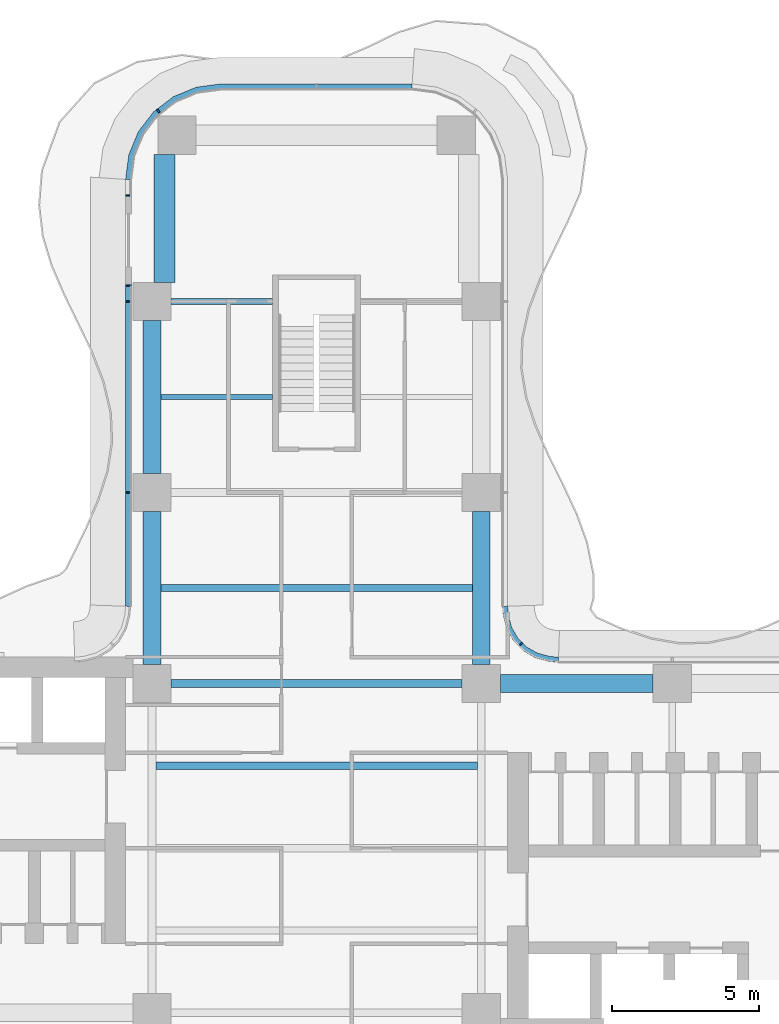
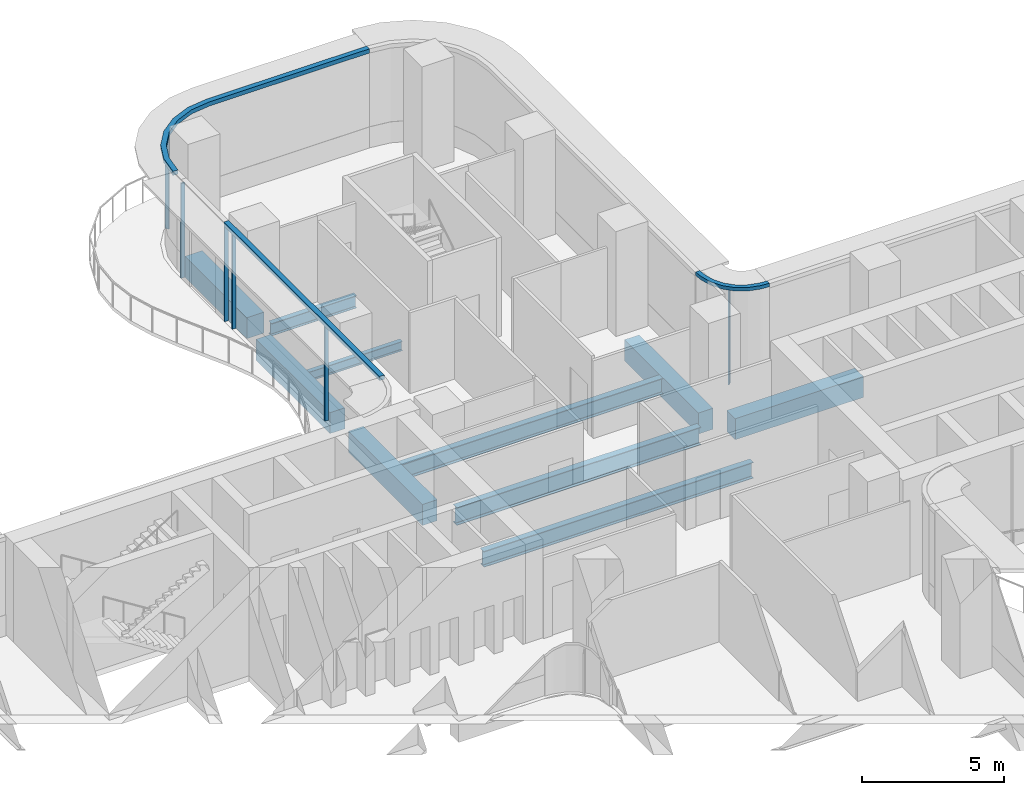
# One storey, part 9 of 23: 10 beams, 9 members, 4 elements without a shape of their own.
"""IFC4 building model written with IfcOpenShell, lengths in metres."""

from ifc_helpers import new_model, si_unit, direction, frame, origin, origin_2d, place, context, subcontext, project, spatial, polyline, rectangle, i_section, outline, extrude, source, transform, mapped, material, layer, layer_set, material_profile, profile_set, type_object, element, aggregate, save


model = new_model("IFC4")

# Units and contexts
model_context = context("Model", 3, precision=1e-05, world=origin(), true_north=direction((0.0, 1.0)))
body_context = subcontext(model_context, "Body", "Model", "MODEL_VIEW")
ifc_project = project(units=[si_unit("LENGTHUNIT", "METRE"), si_unit("AREAUNIT", "SQUARE_METRE"), si_unit("VOLUMEUNIT", "CUBIC_METRE"), si_unit("PLANEANGLEUNIT", "RADIAN"), si_unit("MASSUNIT", "GRAM", prefix="KILO")], contexts=[model_context])

# Site, building, storey
site_placement = place(None, origin())
site = spatial("IfcSite", under=ifc_project, at=site_placement, CompositionType="ELEMENT")
building_placement = place(site_placement, origin())
building = spatial("IfcBuilding", under=site, at=building_placement, Name="Trellis Farm Tower", CompositionType="ELEMENT")
storey_placement = place(building_placement, frame((0.0, 0.0, 120.0)))
storey = spatial("IfcBuildingStorey", under=building, at=storey_placement, Name="L25", CompositionType="ELEMENT", Elevation=120.0)

# Beams
ifc_material_1 = material(Name="Steel S355", Category="steel")
ifc_material_profile_1 = material_profile(ifc_material_1, i_section(OverallWidth=0.253662109375, OverallDepth=0.68359375, WebThickness=0.012451171875, FlangeThickness=0.021728515625, FilletRadius=0.01513671875, at=origin_2d()), Name="UB 686x254x140")
ifc_profile_set_1 = profile_set([ifc_material_profile_1], Name="Steel S355")
beam_type_1 = type_object("IfcBeamType", Name="UB 686x254x140 joist", PredefinedType="JOIST", material=ifc_profile_set_1)
shared_shape_1 = source(origin(), body_context, "Body", "SweptSolid", [
    extrude(i_section(OverallWidth=0.253662109375, OverallDepth=0.68359375, WebThickness=0.012451171875, FlangeThickness=0.021728515625, FilletRadius=0.01513671875, at=origin_2d()), origin(), (0.0, 0.0, 1.0), 10.93310546875),
])
beam_1_placement = place(storey_placement, frame((-5.466552734375, 2.800048828125, -0.591796875), z_axis=(1.0, 0.0, 0.0), x_axis=(0.0, 1.0, 0.0)))
element("IfcBeam", 1, at=beam_1_placement, inside=storey, type_object=beam_type_1, Name="Floor beam", PredefinedType="JOIST", context=body_context, shape_type="MappedRepresentation", body=[
    mapped(shared_shape_1, transform((0.0, 0.0, 0.0))),
])
ifc_material_profile_2 = material_profile(ifc_material_1, i_section(OverallWidth=0.177978515625, OverallDepth=0.406494140625, WebThickness=0.0078125, FlangeThickness=0.0126953125, FilletRadius=0.01025390625, at=origin_2d()), Name="UB 406x178x60")
ifc_profile_set_2 = profile_set([ifc_material_profile_2], Name="Steel S355")
beam_type_2 = type_object("IfcBeamType", Name="UB 406x178x60 joist", PredefinedType="JOIST", material=ifc_profile_set_2)
shared_shape_2 = source(origin(), body_context, "Body", "SweptSolid", [
    extrude(i_section(OverallWidth=0.177978515625, OverallDepth=0.406494140625, WebThickness=0.0078125, FlangeThickness=0.0126953125, FilletRadius=0.01025390625, at=origin_2d()), origin(), (0.0, 0.0, 1.0), 3.800048828125),
])
beam_2_placement = place(storey_placement, frame((-5.300048828125, 15.35009765625, -0.453125), z_axis=(1.0, 0.0, 0.0), x_axis=(0.0, 1.0, 0.0)))
element("IfcBeam", 2, at=beam_2_placement, inside=storey, type_object=beam_type_2, Name="Floor beam", PredefinedType="JOIST", context=body_context, shape_type="MappedRepresentation", body=[
    mapped(shared_shape_2, transform((0.0, 0.0, 0.0))),
])
shared_shape_3 = source(origin(), body_context, "Body", "SweptSolid", [
    extrude(i_section(OverallWidth=0.253662109375, OverallDepth=0.68359375, WebThickness=0.012451171875, FlangeThickness=0.021728515625, FilletRadius=0.01513671875, at=origin_2d()), origin(), (0.0, 0.0, 1.0), 10.60009765625),
])
beam_3_placement = place(storey_placement, frame((-5.300048828125, 8.85009765625, -0.591796875), z_axis=(1.0, 0.0, 0.0), x_axis=(0.0, 1.0, 0.0)))
element("IfcBeam", 3, at=beam_3_placement, inside=storey, type_object=beam_type_1, Name="Floor beam", PredefinedType="JOIST", context=body_context, shape_type="MappedRepresentation", body=[
    mapped(shared_shape_3, transform((0.0, 0.0, 0.0))),
])
ifc_material_profile_3 = material_profile(ifc_material_1, i_section(OverallWidth=0.209228515625, OverallDepth=0.533203125, WebThickness=0.010009765625, FlangeThickness=0.015625, FilletRadius=0.0126953125, at=origin_2d()), Name="UB 533x210x92")
ifc_profile_set_3 = profile_set([ifc_material_profile_3], Name="Steel S355")
beam_type_3 = type_object("IfcBeamType", Name="UB 533x210x92", PredefinedType="BEAM", material=ifc_profile_set_3)
shared_shape_4 = source(origin(), body_context, "Body", "SweptSolid", [
    extrude(i_section(OverallWidth=0.209228515625, OverallDepth=0.533203125, WebThickness=0.010009765625, FlangeThickness=0.015625, FilletRadius=0.0126953125, at=origin_2d()), origin(), (0.0, 0.0, 1.0), 3.449951171875),
])
beam_4_placement = place(storey_placement, frame((-4.949951171875, 18.60009765625, -0.5166015625), z_axis=(1.0, 0.0, 0.0), x_axis=(0.0, 1.0, 0.0)))
element("IfcBeam", 4, at=beam_4_placement, inside=storey, type_object=beam_type_3, Name="Girder", PredefinedType="BEAM", context=body_context, shape_type="MappedRepresentation", body=[
    mapped(shared_shape_4, transform((0.0, 0.0, 0.0))),
])
ifc_material_profile_4 = material_profile(ifc_material_1, i_section(OverallWidth=0.2666015625, OverallDepth=0.76220703125, WebThickness=0.014404296875, FlangeThickness=0.021484375, FilletRadius=0.0166015625, at=origin_2d()), Name="UB 762x267x173")
ifc_profile_set_4 = profile_set([ifc_material_profile_4], Name="Steel S355")
beam_type_4 = type_object("IfcBeamType", Name="UB 762x267x173", PredefinedType="BEAM", material=ifc_profile_set_4)
shared_shape_5 = source(origin(), body_context, "Body", "SweptSolid", [
    extrude(i_section(OverallWidth=0.2666015625, OverallDepth=0.76220703125, WebThickness=0.014404296875, FlangeThickness=0.021484375, FilletRadius=0.0166015625, at=origin_2d()), origin(), (0.0, 0.0, 1.0), 9.89990234375),
])
beam_5_placement = place(storey_placement, frame((-4.949951171875, 5.60009765625, -0.631103515625), z_axis=(1.0, 0.0, 0.0), x_axis=(0.0, 1.0, 0.0)))
element("IfcBeam", 5, at=beam_5_placement, inside=storey, type_object=beam_type_4, Name="Girder", PredefinedType="BEAM", context=body_context, shape_type="MappedRepresentation", body=[
    mapped(shared_shape_5, transform((0.0, 0.0, 0.0))),
])
ifc_material_2 = material(Name="Concrete C60/75", Category="concrete")
ifc_material_profile_5 = material_profile(ifc_material_2, rectangle(XDim=0.60009765625, YDim=0.89990234375, at=origin_2d()), Name="RC spandrel beam 600x900 C60/75")
ifc_profile_set_5 = profile_set([ifc_material_profile_5], Name="Concrete C60/75")
beam_type_5 = type_object("IfcBeamType", Name="RC spandrel beam 600x900 C60/75", PredefinedType="SPANDREL", material=ifc_profile_set_5)
shared_shape_6 = source(origin(), body_context, "Body", "SweptSolid", [
    extrude(rectangle(XDim=0.60009765625, YDim=0.89990234375, at=origin_2d()), origin(), (0.0, 0.0, 1.0), 5.199951171875),
])
for number, where, z_axis, x_axis, name in (
    (6, (6.25, 5.60009765625, -0.699951171875), (1.0, 0.0, 0.0), (0.0, 1.0, 0.0), "Girder"),
    (7, (-5.60009765625, 6.25, -0.699951171875), (0.0, 1.0, 0.0), (-1.0, 0.0, 0.0), "Girder"),
    (8, (-5.60009765625, 12.75, -0.699951171875), (0.0, 1.0, 0.0), (-1.0, 0.0, 0.0), "Girder"),
    (9, (5.60009765625, 6.25, -0.699951171875), (0.0, 1.0, 0.0), (-1.0, 0.0, 0.0), "Girder"),
):
    element("IfcBeam", number, at=place(storey_placement, frame(where, z_axis=z_axis, x_axis=x_axis)), inside=storey, type_object=beam_type_5, Name=name, PredefinedType="SPANDREL", context=body_context, shape_type="MappedRepresentation", body=[
        mapped(shared_shape_6, transform((0.0, 0.0, 0.0))),
    ])
ifc_material_profile_6 = material_profile(ifc_material_2, rectangle(XDim=0.699951171875, YDim=0.89990234375, at=origin_2d()), Name="RC spandrel beam 700x900 C60/75")
ifc_profile_set_6 = profile_set([ifc_material_profile_6], Name="Concrete C60/75")
beam_type_6 = type_object("IfcBeamType", Name="RC spandrel beam 700x900 C60/75", PredefinedType="SPANDREL", material=ifc_profile_set_6)
shared_shape_7 = source(origin(), body_context, "Body", "SweptSolid", [
    extrude(rectangle(XDim=0.699951171875, YDim=0.89990234375, at=origin_2d()), origin(), (0.0, 0.0, 1.0), 4.35009765625),
])
beam_6_placement = place(storey_placement, frame((-5.175048828125, 19.25, -0.699951171875), z_axis=(0.0, 1.0, 0.0), x_axis=(-1.0, 0.0, 0.0)))
element("IfcBeam", 10, at=beam_6_placement, inside=storey, type_object=beam_type_6, Name="Girder", PredefinedType="SPANDREL", context=body_context, shape_type="MappedRepresentation", body=[
    mapped(shared_shape_7, transform((0.0, 0.0, 0.0))),
])

# Curtain wall, member
ifc_material_3 = material(Name="Aluminium and glass curtain wall", Category="aluminium")
ifc_layer_1 = layer(ifc_material_3, 0.18994140625)
ifc_layer_set_1 = layer_set([ifc_layer_1], Name="RIBBON CURTAIN WALL CW1")
curtain_wall_type_1 = type_object("IfcCurtainWallType", Name="RIBBON CURTAIN WALL CW1", PredefinedType="NOTDEFINED", material=ifc_layer_set_1)
placement_1 = place(storey_placement, origin())
curtain_wall_1 = element("IfcCurtainWall", 11, at=placement_1, inside=storey, type_object=curtain_wall_type_1, Name="CW1 010", PredefinedType="NOTDEFINED")
ifc_material_4 = material(Name="Aluminium extrusion 6063-T6", Category="aluminium")
ifc_material_profile_7 = material_profile(ifc_material_4, rectangle(XDim=0.06005859375, YDim=0.14990234375, at=origin_2d()), Name="MULLION 60x150")
ifc_profile_set_7 = profile_set([ifc_material_profile_7], Name="Aluminium extrusion 6063-T6")
member_type_1 = type_object("IfcMemberType", Name="CW1 MULLION 60x150", PredefinedType="MULLION", material=ifc_profile_set_7)
shared_shape_8 = source(origin(), body_context, "Body", "SweptSolid", [
    extrude(rectangle(XDim=0.06005859375, YDim=0.14990234375, at=origin_2d()), origin(), (0.0, 0.0, 1.0), 4.070068359375),
])
member_1_placement = place(storey_placement, frame((-5.385498046875, 25.078369140625, 0.0), z_axis=(0.0, 0.0, 1.0), x_axis=(-0.793353340291, -0.608761429009, 0.0)))
member_1 = element("IfcMember", 12, at=member_1_placement, type_object=member_type_1, Name="MU1 010-02", PredefinedType="MULLION", context=body_context, shape_type="MappedRepresentation", body=[
    mapped(shared_shape_8, transform((0.0, 0.0, 0.0))),
])

curtain_wall_2 = element("IfcCurtainWall", 13, at=placement_1, inside=storey, type_object=curtain_wall_type_1, Name="CW1 011", PredefinedType="NOTDEFINED")
member_2_placement = place(storey_placement, frame((-6.425048828125, 22.205078125, 0.0), z_axis=(0.0, 0.0, 1.0), x_axis=(0.0, -1.0, 0.0)))
member_2 = element("IfcMember", 14, at=member_2_placement, type_object=member_type_1, Name="MU1 011-01", PredefinedType="MULLION", context=body_context, shape_type="MappedRepresentation", body=[
    mapped(shared_shape_8, transform((0.0, 0.0, 0.0))),
])
aggregate(curtain_wall_2, [member_2])

# Curtain wall, members
curtain_wall_3 = element("IfcCurtainWall", 15, at=placement_1, inside=storey, type_object=curtain_wall_type_1, Name="CW1 012", PredefinedType="NOTDEFINED")
member_3_placement = place(storey_placement, frame((-6.425048828125, 19.14501953125, 0.0), z_axis=(0.0, 0.0, 1.0), x_axis=(0.0, -1.0, 0.0)))
member_3 = element("IfcMember", 16, at=member_3_placement, type_object=member_type_1, Name="MU1 012-01", PredefinedType="MULLION", context=body_context, shape_type="MappedRepresentation", body=[
    mapped(shared_shape_8, transform((0.0, 0.0, 0.0))),
])
member_4_placement = place(storey_placement, frame((-6.425048828125, 18.60009765625, 0.0), z_axis=(0.0, 0.0, 1.0), x_axis=(0.0, -1.0, 0.0)))
member_4 = element("IfcMember", 17, at=member_4_placement, type_object=member_type_1, Name="MU1 012-02", PredefinedType="MULLION", context=body_context, shape_type="MappedRepresentation", body=[
    mapped(shared_shape_8, transform((0.0, 0.0, 0.0))),
])
member_5_placement = place(storey_placement, frame((-6.425048828125, 12.10009765625, 0.0), z_axis=(0.0, 0.0, 1.0), x_axis=(0.0, -1.0, 0.0)))
member_5 = element("IfcMember", 18, at=member_5_placement, type_object=member_type_1, Name="MU1 012-03", PredefinedType="MULLION", context=body_context, shape_type="MappedRepresentation", body=[
    mapped(shared_shape_8, transform((0.0, 0.0, 0.0))),
])

ifc_layer_2 = layer(ifc_material_3, 0.166015625)
ifc_layer_set_2 = layer_set([ifc_layer_2], Name="WINTER GARDEN CURTAIN WALL CW3")
curtain_wall_type_2 = type_object("IfcCurtainWallType", Name="WINTER GARDEN CURTAIN WALL CW3", PredefinedType="NOTDEFINED", material=ifc_layer_set_2)
curtain_wall_4 = element("IfcCurtainWall", 19, at=placement_1, inside=storey, type_object=curtain_wall_type_2, Name="CW3 003", PredefinedType="NOTDEFINED")
ifc_material_profile_8 = material_profile(ifc_material_4, rectangle(XDim=0.050048828125, YDim=0.1201171875, at=origin_2d()), Name="MULLION 50x120")
ifc_profile_set_8 = profile_set([ifc_material_profile_8], Name="Aluminium extrusion 6063-T6")
member_type_2 = type_object("IfcMemberType", Name="CW3 MULLION 50x120", PredefinedType="MULLION", material=ifc_profile_set_8)
shared_shape_9 = source(origin(), body_context, "Body", "SweptSolid", [
    extrude(rectangle(XDim=0.050048828125, YDim=0.1201171875, at=origin_2d()), origin(), (0.0, 0.0, 1.0), 4.10009765625),
])
member_6_placement = place(storey_placement, frame((6.953125, 6.953125, 0.0), z_axis=(0.0, 0.0, 1.0), x_axis=(-0.707106781187, 0.707106781187, 0.0)))
member_6 = element("IfcMember", 20, at=member_6_placement, type_object=member_type_2, Name="MU3 003-01", PredefinedType="MULLION", context=body_context, shape_type="MappedRepresentation", body=[
    mapped(shared_shape_9, transform((0.0, 0.0, 0.0))),
])
ifc_layer_3 = layer(ifc_material_4, 0.169921875)
ifc_layer_set_3 = layer_set([ifc_layer_3], Name="Aluminium extrusion 6063-T6")
member_type_3 = type_object("IfcMemberType", Name="CW3 TRANSOM 170x150", PredefinedType="USERDEFINED", material=ifc_layer_set_3)
shared_shape_10 = source(origin(), body_context, "Body", "SweptSolid", [
    extrude(outline(polyline([(8.2314453125, 6.5), (8.01953125, 6.513916015625), (7.91552734375, 6.527587890625), (7.508544921875, 6.63671875), (7.144287109375, 6.846923828125), (6.846923828125, 7.144287109375), (6.63671875, 7.508544921875), (6.527587890625, 7.91552734375), (6.513916015625, 8.01953125), (6.5, 8.2314453125), (6.330078125, 8.225830078125), (6.3447265625, 8.0029296875), (6.360595703125, 7.88232421875), (6.478271484375, 7.44287109375), (6.7109375, 7.0400390625), (7.0400390625, 6.7109375), (7.44287109375, 6.478271484375), (7.88232421875, 6.360595703125), (8.0029296875, 6.3447265625), (8.225830078125, 6.330078125), (8.2314453125, 6.5)])), origin(), (0.0, 0.0, 1.0), 0.14990234375),
])
member_7_placement = place(storey_placement, frame((0.0, 0.0, 4.10009765625)))
member_7 = element("IfcMember", 21, at=member_7_placement, type_object=member_type_3, Name="TR3 003", ObjectType="TRANSOM", PredefinedType="USERDEFINED", context=body_context, shape_type="MappedRepresentation", body=[
    mapped(shared_shape_10, transform((0.0, 0.0, 0.0))),
])
aggregate(curtain_wall_4, [member_6, member_7])

# Member
ifc_layer_4 = layer(ifc_material_4, 0.199951171875)
ifc_layer_set_4 = layer_set([ifc_layer_4], Name="Aluminium extrusion 6063-T6")
member_type_4 = type_object("IfcMemberType", Name="CW1 TRANSOM 200x180", PredefinedType="USERDEFINED", material=ifc_layer_set_4)
shared_shape_11 = source(origin(), body_context, "Body", "SweptSolid", [
    extrude(outline(polyline([(3.25, 26.0), (-3.25, 26.0), (-4.091064453125, 25.88916015625), (-4.875, 25.564697265625), (-5.548095703125, 25.048095703125), (-6.064697265625, 24.375), (-6.38916015625, 23.591064453125), (-6.5, 22.75), (-6.300048828125, 22.73681640625), (-6.1943359375, 23.5390625), (-5.889892578125, 24.274169921875), (-5.405517578125, 24.905517578125), (-4.774169921875, 25.389892578125), (-4.0390625, 25.6943359375), (-3.23681640625, 25.800048828125), (3.23681640625, 25.800048828125), (3.25, 26.0)])), origin(), (0.0, 0.0, 1.0), 0.179931640625),
])
placement_2 = place(storey_placement, frame((0.0, 0.0, 4.070068359375)))
member_8 = element("IfcMember", 22, at=placement_2, type_object=member_type_4, Name="TR1 010", ObjectType="TRANSOM", PredefinedType="USERDEFINED", context=body_context, shape_type="MappedRepresentation", body=[
    mapped(shared_shape_11, transform((0.0, 0.0, 0.0))),
])

aggregate(curtain_wall_1, [member_1, member_8])

shared_shape_12 = source(origin(), body_context, "Body", "SweptSolid", [
    extrude(outline(polyline([(-6.5, 19.175048828125), (-6.5, 8.2314453125), (-6.300048828125, 8.224853515625), (-6.300048828125, 19.175048828125), (-6.5, 19.175048828125)])), origin(), (0.0, 0.0, 1.0), 0.179931640625),
])
member_9 = element("IfcMember", 23, at=placement_2, type_object=member_type_4, Name="TR1 012", ObjectType="TRANSOM", PredefinedType="USERDEFINED", context=body_context, shape_type="MappedRepresentation", body=[
    mapped(shared_shape_12, transform((0.0, 0.0, 0.0))),
])

aggregate(curtain_wall_3, [member_3, member_4, member_5, member_9])

save(model, "model.ifc")
